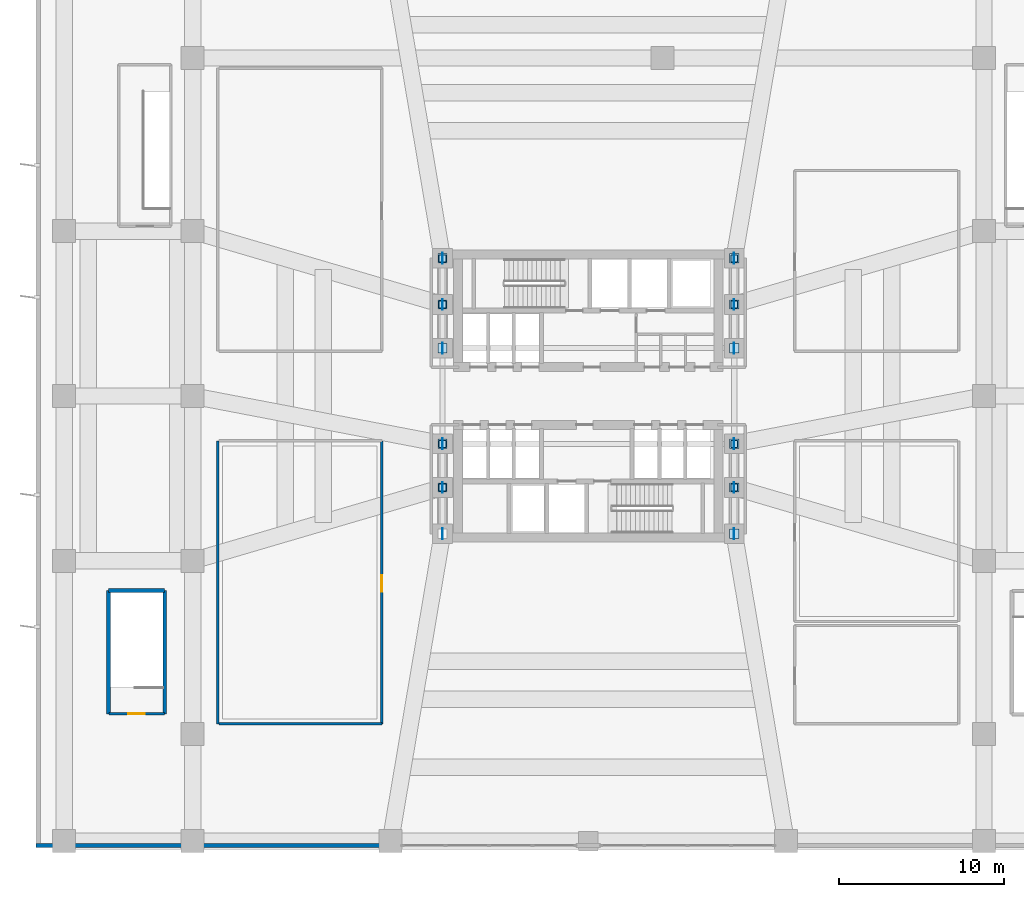
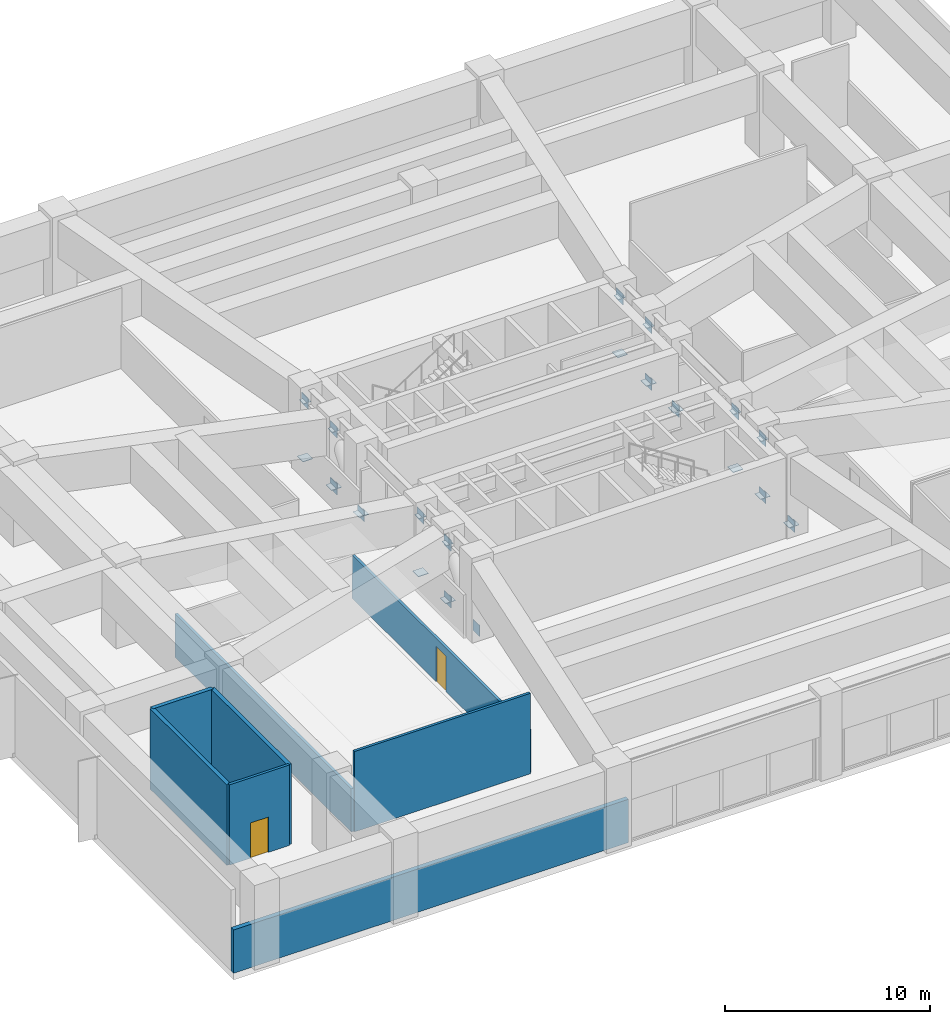
# One storey, part 7 of 14: 35 plates, 8 walls, 2 doors, 2 openings.
"""IFC4 building model written with IfcOpenShell, lengths in metres."""

from ifc_helpers import new_model, si_unit, direction, frame, frame_2d, origin, origin_2d, place, context, subcontext, project, spatial, rectangle, extrude, material, layer, layer_set, type_object, element, fill, save


model = new_model("IFC4")

# Units and contexts
model_context = context("Model", 3, precision=1e-05, world=origin(), true_north=direction((0.0, 1.0)))
body_context = subcontext(model_context, "Body", "Model", "MODEL_VIEW")
ifc_project = project(units=[si_unit("LENGTHUNIT", "METRE"), si_unit("AREAUNIT", "SQUARE_METRE"), si_unit("VOLUMEUNIT", "CUBIC_METRE"), si_unit("PLANEANGLEUNIT", "RADIAN"), si_unit("MASSUNIT", "GRAM", prefix="KILO")], contexts=[model_context])

# Site, building, storey
site_placement = place(None, origin())
site = spatial("IfcSite", under=ifc_project, at=site_placement, CompositionType="ELEMENT")
building_placement = place(site_placement, origin())
building = spatial("IfcBuilding", under=site, at=building_placement, Name="Solmarez Civic Tower", CompositionType="ELEMENT")
storey_placement = place(building_placement, frame((0.0, 0.0, 19.43994140625)))
storey = spatial("IfcBuildingStorey", under=building, at=storey_placement, Name="L04", CompositionType="ELEMENT", Elevation=19.43994140625)

# Plates
ifc_material_1 = material(Name="Steel S355", Category="steel")
ifc_layer_1 = layer(ifc_material_1, 0.02392578125)
ifc_layer_set_1 = layer_set([ifc_layer_1], Name="Steel S355")
plate_type_1 = type_object("IfcPlateType", Name="PLT-CAP-380", PredefinedType="USERDEFINED", material=ifc_layer_set_1)
for number, where, z_axis, x_axis, name in (
    (1, (-8.85009765625, -5.550048828125, 3.718017578125), (0.0, 0.0, 1.0), (1.0, 0.0, 0.0), "Steel Member End Cap Plate CAP-BRC-L04-01-1"),
    (2, (-8.85009765625, -2.89990234375, 3.718017578125), (0.0, 0.0, 1.0), (1.0, 0.0, 0.0), "Steel Member End Cap Plate CAP-BRC-L04-02-1"),
    (3, (-8.85009765625, 5.550048828125, 3.718017578125), (0.0, 0.0, 1.0), (1.0, 0.0, 0.0), "Steel Member End Cap Plate CAP-BRC-L04-03-1"),
    (4, (-8.85009765625, 8.35009765625, 3.718017578125), (0.0, 0.0, 1.0), (1.0, 0.0, 0.0), "Steel Member End Cap Plate CAP-BRC-L04-04-1"),
    (5, (8.85009765625, -5.550048828125, 3.718017578125), (0.0, 0.0, 1.0), (1.0, 0.0, 0.0), "Steel Member End Cap Plate CAP-BRC-L04-05-1"),
    (6, (8.85009765625, -2.89990234375, 3.718017578125), (0.0, 0.0, 1.0), (1.0, 0.0, 0.0), "Steel Member End Cap Plate CAP-BRC-L04-06-1"),
    (7, (8.85009765625, 5.550048828125, 3.718017578125), (0.0, 0.0, 1.0), (1.0, 0.0, 0.0), "Steel Member End Cap Plate CAP-BRC-L04-07-1"),
    (8, (8.85009765625, 8.35009765625, 3.718017578125), (0.0, 0.0, 1.0), (1.0, 0.0, 0.0), "Steel Member End Cap Plate CAP-BRC-L04-08-1"),
):
    element("IfcPlate", number, at=place(storey_placement, frame(where, z_axis=z_axis, x_axis=x_axis)), inside=storey, type_object=plate_type_1, Name=name, ObjectType="CAP_PLATE", PredefinedType="USERDEFINED", context=body_context, shape_type="SweptSolid", body=[
        extrude(rectangle(XDim=0.419921875, YDim=0.419921875, at=origin_2d()), origin(), (0.0, 0.0, 1.0), 0.02392578125),
    ])
ifc_layer_2 = layer(ifc_material_1, 0.028076171875)
ifc_layer_set_2 = layer_set([ifc_layer_2], Name="Steel S355")
plate_type_2 = type_object("IfcPlateType", Name="PLT-CAP-540", PredefinedType="USERDEFINED", material=ifc_layer_set_2)
for number, where, z_axis, x_axis, name in (
    (9, (-8.85009765625, -5.550048828125, 0.3359375), (0.0, 0.0, 1.0), (1.0, 0.0, 0.0), "Steel Member End Cap Plate CAP-CHD-L04-01-1"),
    (10, (-8.85009765625, -2.89990234375, 0.3359375), (0.0, 0.0, 1.0), (1.0, 0.0, 0.0), "Steel Member End Cap Plate CAP-CHD-L04-02-1"),
    (11, (-8.85009765625, 2.89990234375, 0.3359375), (0.0, 0.0, 1.0), (1.0, 0.0, 0.0), "Steel Member End Cap Plate CAP-CHD-L04-03-0"),
    (12, (-8.85009765625, 5.550048828125, 0.3359375), (0.0, 0.0, 1.0), (1.0, 0.0, 0.0), "Steel Member End Cap Plate CAP-CHD-L04-03-1"),
    (13, (-8.85009765625, 8.35009765625, 0.3359375), (0.0, 0.0, 1.0), (1.0, 0.0, 0.0), "Steel Member End Cap Plate CAP-CHD-L04-04-1"),
    (14, (8.85009765625, -8.35009765625, 0.3359375), (0.0, 0.0, 1.0), (1.0, 0.0, 0.0), "Steel Member End Cap Plate CAP-CHD-L04-05-0"),
    (15, (8.85009765625, -5.550048828125, 0.3359375), (0.0, 0.0, 1.0), (1.0, 0.0, 0.0), "Steel Member End Cap Plate CAP-CHD-L04-05-1"),
    (16, (8.85009765625, -2.89990234375, 0.3359375), (0.0, 0.0, 1.0), (1.0, 0.0, 0.0), "Steel Member End Cap Plate CAP-CHD-L04-06-1"),
    (17, (8.85009765625, 2.89990234375, 0.3359375), (0.0, 0.0, 1.0), (1.0, 0.0, 0.0), "Steel Member End Cap Plate CAP-CHD-L04-07-0"),
    (18, (8.85009765625, 5.550048828125, 0.3359375), (0.0, 0.0, 1.0), (1.0, 0.0, 0.0), "Steel Member End Cap Plate CAP-CHD-L04-07-1"),
    (19, (8.85009765625, 8.35009765625, 0.3359375), (0.0, 0.0, 1.0), (1.0, 0.0, 0.0), "Steel Member End Cap Plate CAP-CHD-L04-08-1"),
):
    element("IfcPlate", number, at=place(storey_placement, frame(where, z_axis=z_axis, x_axis=x_axis)), inside=storey, type_object=plate_type_2, Name=name, ObjectType="CAP_PLATE", PredefinedType="USERDEFINED", context=body_context, shape_type="SweptSolid", body=[
        extrude(rectangle(XDim=0.56005859375, YDim=0.56005859375, at=origin_2d()), origin(), (0.0, 0.0, 1.0), 0.028076171875),
    ])
ifc_layer_3 = layer(ifc_material_1, 0.031982421875)
ifc_layer_set_3 = layer_set([ifc_layer_3], Name="Steel S355")
plate_type_3 = type_object("IfcPlateType", Name="PLT-GUSSET-32", PredefinedType="USERDEFINED", material=ifc_layer_set_3)
for number, where, z_axis, x_axis, name in (
    (20, (-8.85009765625, -8.35009765625, 0.025146484375), (0.0, 0.0, 1.0), (0.0, 1.0, 0.0), "L04 Structural Gusset Plate GUS-L04-01-0"),
    (21, (-8.85009765625, -5.550048828125, 3.405029296875), (0.0, 0.0, 1.0), (0.0, 1.0, 0.0), "L04 Structural Gusset Plate GUS-L04-01-1"),
    (22, (-8.85009765625, -5.550048828125, 0.025146484375), (0.0, 0.0, 1.0), (0.0, 1.0, 0.0), "L04 Structural Gusset Plate GUS-L04-02-0"),
    (23, (-8.85009765625, -2.89990234375, 3.405029296875), (0.0, 0.0, 1.0), (0.0, 1.0, 0.0), "L04 Structural Gusset Plate GUS-L04-02-1"),
    (24, (-8.85009765625, 2.89990234375, 0.025146484375), (0.0, 0.0, 1.0), (0.0, 1.0, 0.0), "L04 Structural Gusset Plate GUS-L04-03-0"),
    (25, (-8.85009765625, 5.550048828125, 3.405029296875), (0.0, 0.0, 1.0), (0.0, 1.0, 0.0), "L04 Structural Gusset Plate GUS-L04-03-1"),
    (26, (-8.85009765625, 5.550048828125, 0.025146484375), (0.0, 0.0, 1.0), (0.0, 1.0, 0.0), "L04 Structural Gusset Plate GUS-L04-04-0"),
    (27, (-8.85009765625, 8.35009765625, 3.405029296875), (0.0, 0.0, 1.0), (0.0, 1.0, 0.0), "L04 Structural Gusset Plate GUS-L04-04-1"),
    (28, (8.85009765625, -8.35009765625, 0.025146484375), (0.0, 0.0, 1.0), (0.0, 1.0, 0.0), "L04 Structural Gusset Plate GUS-L04-05-0"),
    (29, (8.85009765625, -5.550048828125, 3.405029296875), (0.0, 0.0, 1.0), (0.0, 1.0, 0.0), "L04 Structural Gusset Plate GUS-L04-05-1"),
    (30, (8.85009765625, -5.550048828125, 0.025146484375), (0.0, 0.0, 1.0), (0.0, 1.0, 0.0), "L04 Structural Gusset Plate GUS-L04-06-0"),
    (31, (8.85009765625, -2.89990234375, 3.405029296875), (0.0, 0.0, 1.0), (0.0, 1.0, 0.0), "L04 Structural Gusset Plate GUS-L04-06-1"),
    (32, (8.85009765625, 2.89990234375, 0.025146484375), (0.0, 0.0, 1.0), (0.0, 1.0, 0.0), "L04 Structural Gusset Plate GUS-L04-07-0"),
    (33, (8.85009765625, 5.550048828125, 3.405029296875), (0.0, 0.0, 1.0), (0.0, 1.0, 0.0), "L04 Structural Gusset Plate GUS-L04-07-1"),
    (34, (8.85009765625, 5.550048828125, 0.025146484375), (0.0, 0.0, 1.0), (0.0, 1.0, 0.0), "L04 Structural Gusset Plate GUS-L04-08-0"),
    (35, (8.85009765625, 8.35009765625, 3.405029296875), (0.0, 0.0, 1.0), (0.0, 1.0, 0.0), "L04 Structural Gusset Plate GUS-L04-08-1"),
):
    element("IfcPlate", number, at=place(storey_placement, frame(where, z_axis=z_axis, x_axis=x_axis)), inside=storey, type_object=plate_type_3, Name=name, ObjectType="GUSSET_PLATE", PredefinedType="USERDEFINED", context=body_context, shape_type="SweptSolid", body=[
        extrude(rectangle(XDim=0.64990234375, YDim=0.031982421875, at=origin_2d()), origin(), (0.0, 0.0, 1.0), 0.64990234375),
    ])

# Wall
ifc_material_2 = material(Name="Precast concrete C40/50", Category="concrete")
ifc_layer_4 = layer(ifc_material_2, 0.260009765625)
ifc_layer_set_4 = layer_set([ifc_layer_4], Name="Precast concrete C40/50")
wall_type_1 = type_object("IfcWallType", Name="WALL-EXT-260", PredefinedType="SOLIDWALL", material=ifc_layer_set_4)
wall_1_placement = place(storey_placement, frame((-11.300048828125, -27.27001953125, 0.0), z_axis=(0.0, 0.0, 1.0), x_axis=(-1.0, 0.0, 0.0)))
element("IfcWall", 36, at=wall_1_placement, inside=storey, type_object=wall_type_1, Name="L04 South-West Exterior Wall", PredefinedType="SOLIDWALL", context=body_context, shape_type="SweptSolid", body=[
    extrude(rectangle(XDim=22.199951171875, YDim=0.260009765625, at=frame_2d((11.10009765625, 0.0))), origin(), (0.0, 0.0, 1.0), 2.572021484375),
])

# Wall, opening, door
ifc_material_3 = material(Name="Gypsum Board Acoustic Steel-Stud Partition", Category="steel")
ifc_layer_5 = layer(ifc_material_3, 0.14990234375)
ifc_layer_set_5 = layer_set([ifc_layer_5], Name="Gypsum Board Acoustic Steel-Stud Partition")
wall_type_2 = type_object("IfcWallType", Name="WALL-INT-FIRE-150", PredefinedType="PARTITIONING", material=ifc_layer_set_5)
wall_2_placement = place(storey_placement, frame((-29.080078125, -19.280029296875, 0.0), z_axis=(0.0, 0.0, 1.0), x_axis=(1.0, 0.0, 0.0)))
wall_2 = element("IfcWall", 37, at=wall_2_placement, inside=storey, type_object=wall_type_2, Name="L04 Podium Exit Stair STP1 Wall", PredefinedType="PARTITIONING", context=body_context, shape_type="SweptSolid", body=[
    extrude(rectangle(XDim=3.360107421875, YDim=0.14990234375, at=frame_2d((1.68017578125, 0.0))), origin(), (0.0, 0.0, 1.0), 4.780029296875),
])
opening_1_placement = place(wall_2_placement, frame((1.179931640625, 0.0, 0.0)))
opening_1 = element("IfcOpeningElement", 38, at=opening_1_placement, cuts=wall_2, Name="Opening D-05", PredefinedType="OPENING", context=body_context, shape_type="SweptSolid", body=[
    extrude(rectangle(XDim=1.0, YDim=2.10009765625, at=frame_2d((0.5, 1.050048828125))), frame((0.0, 0.0849609375, 0.0), z_axis=(0.0, -1.0, 0.0), x_axis=(1.0, 0.0, 0.0)), (0.0, 0.0, 1.0), 0.169921875),
])
ifc_material_4 = material(Name="Fire-Rated Stairwell Exit Door", Category="wood")
door_type_1 = type_object("IfcDoorType", Name="DOOR-FD90-1000", OperationType="NOTDEFINED", PredefinedType="DOOR", material=ifc_material_4)
door_1_placement = place(opening_1_placement, origin())
door_1 = element("IfcDoor", 39, at=door_1_placement, inside=storey, type_object=door_type_1, Name="L04 Podium Exit Stair STP1 Door", OperationType="SINGLE_SWING_RIGHT", OverallHeight=2.10009765625, OverallWidth=1.0, PredefinedType="DOOR", context=body_context, shape_type="SweptSolid", body=[
    extrude(rectangle(XDim=1.0, YDim=2.10009765625, at=frame_2d((0.5, 1.050048828125))), frame((0.0, 0.02490234375, 0.0), z_axis=(0.0, -1.0, 0.0), x_axis=(1.0, 0.0, 0.0)), (0.0, 0.0, 1.0), 0.050048828125),
])
fill(opening_1, door_1)

# Wall
wall_3_placement = place(storey_placement, frame((-22.47998046875, -19.8798828125, 0.0), z_axis=(0.0, 0.0, 1.0), x_axis=(0.0, 1.0, 0.0)))
element("IfcWall", 40, at=wall_3_placement, inside=storey, type_object=wall_type_2, Name="L04 Interior Partition PT-L0X-L04-SW1-B", PredefinedType="PARTITIONING", context=body_context, shape_type="SweptSolid", body=[
    extrude(rectangle(XDim=17.159912109375, YDim=0.14990234375, at=frame_2d((8.580078125, 0.0))), origin(), (0.0, 0.0, 1.0), 2.572021484375),
])

# Wall, opening, door
ifc_layer_6 = layer(ifc_material_3, 0.14501953125)
ifc_layer_set_6 = layer_set([ifc_layer_6], Name="Gypsum Board Acoustic Steel-Stud Partition")
wall_type_3 = type_object("IfcWallType", Name="WALL-INT-PART-150", PredefinedType="PARTITIONING", material=ifc_layer_set_6)
wall_4_placement = place(storey_placement, frame((-12.52001953125, -2.719970703125, 0.0), z_axis=(0.0, 0.0, 1.0), x_axis=(0.0, -1.0, 0.0)))
wall_4 = element("IfcWall", 41, at=wall_4_placement, inside=storey, type_object=wall_type_3, Name="L04 Interior Partition PT-L0X-L04-SW1-F", PredefinedType="PARTITIONING", context=body_context, shape_type="SweptSolid", body=[
    extrude(rectangle(XDim=17.159912109375, YDim=0.14501953125, at=frame_2d((8.580078125, 0.0))), origin(), (0.0, 0.0, 1.0), 2.572021484375),
])
opening_2_placement = place(wall_4_placement, frame((8.159912109375, 0.0, 0.0)))
opening_2 = element("IfcOpeningElement", 42, at=opening_2_placement, cuts=wall_4, Name="Opening D-04", PredefinedType="OPENING", context=body_context, shape_type="SweptSolid", body=[
    extrude(rectangle(XDim=1.0, YDim=2.10009765625, at=frame_2d((0.5, 1.050048828125))), frame((0.0, 0.08251953125, 0.0), z_axis=(0.0, -1.0, 0.0), x_axis=(1.0, 0.0, 0.0)), (0.0, 0.0, 1.0), 0.1650390625),
])
ifc_material_5 = material(Name="Steel-Faced Acoustic Fire Door", Category="steel")
door_type_2 = type_object("IfcDoorType", Name="DOOR-FD60-1000", OperationType="NOTDEFINED", PredefinedType="DOOR", material=ifc_material_5)
door_2_placement = place(opening_2_placement, origin())
door_2 = element("IfcDoor", 43, at=door_2_placement, inside=storey, type_object=door_type_2, Name="L04 Sky-Shuttle Security Control Room Door", OperationType="SINGLE_SWING_RIGHT", OverallHeight=2.10009765625, OverallWidth=1.0, PredefinedType="DOOR", context=body_context, shape_type="SweptSolid", body=[
    extrude(rectangle(XDim=1.0, YDim=2.10009765625, at=frame_2d((0.5, 1.050048828125))), frame((0.0, 0.02490234375, 0.0), z_axis=(0.0, -1.0, 0.0), x_axis=(1.0, 0.0, 0.0)), (0.0, 0.0, 1.0), 0.050048828125),
])
fill(opening_2, door_2)

# Walls
wall_5_placement = place(storey_placement, frame((-22.39990234375, -19.8798828125, 0.0), z_axis=(0.0, 0.0, 1.0), x_axis=(1.0, 0.0, 0.0)))
element("IfcWall", 44, at=wall_5_placement, inside=storey, type_object=wall_type_3, Name="L04 Interior Partition PT-L0X-L04-SW1-S", PredefinedType="PARTITIONING", context=body_context, shape_type="SweptSolid", body=[
    extrude(rectangle(XDim=9.8798828125, YDim=0.14501953125, at=frame_2d((4.93994140625, 0.0))), origin(), (0.0, 0.0, 1.0), 4.780029296875),
])
ifc_material_6 = material(Name="Concrete C50/60", Category="concrete")
ifc_layer_7 = layer(ifc_material_6, 0.300048828125)
ifc_layer_set_7 = layer_set([ifc_layer_7], Name="Concrete C50/60")
wall_type_4 = type_object("IfcWallType", Name="WALL-STR-300", PredefinedType="SOLIDWALL", material=ifc_layer_set_7)
for number, where, z_axis, x_axis, name in (
    (45, (-29.10009765625, -19.300048828125, 0.0), (0.0, 0.0, 1.0), (0.0, 1.0, 0.0), "L04 Podium Stair Structural Wall STP1-W"),
    (46, (-25.699951171875, -19.300048828125, 0.0), (0.0, 0.0, 1.0), (0.0, 1.0, 0.0), "L04 Podium Stair Structural Wall STP1-E"),
):
    element("IfcWall", number, at=place(storey_placement, frame(where, z_axis=z_axis, x_axis=x_axis)), inside=storey, type_object=wall_type_4, Name=name, PredefinedType="SOLIDWALL", context=body_context, shape_type="SweptSolid", body=[
        extrude(rectangle(XDim=7.5, YDim=0.219970703125, at=frame_2d((3.75, 0.0))), origin(), (0.0, 0.0, 1.0), 4.780029296875),
    ])
wall_6_placement = place(storey_placement, frame((-29.10009765625, -11.800048828125, 0.0), z_axis=(0.0, 0.0, 1.0), x_axis=(1.0, 0.0, 0.0)))
element("IfcWall", 47, at=wall_6_placement, inside=storey, type_object=wall_type_4, Name="L04 Podium Stair Structural Wall STP1-N", PredefinedType="SOLIDWALL", context=body_context, shape_type="SweptSolid", body=[
    extrude(rectangle(XDim=3.400146484375, YDim=0.219970703125, at=frame_2d((1.7001953125, 0.0))), origin(), (0.0, 0.0, 1.0), 4.780029296875),
])

save(model, "model.ifc")
